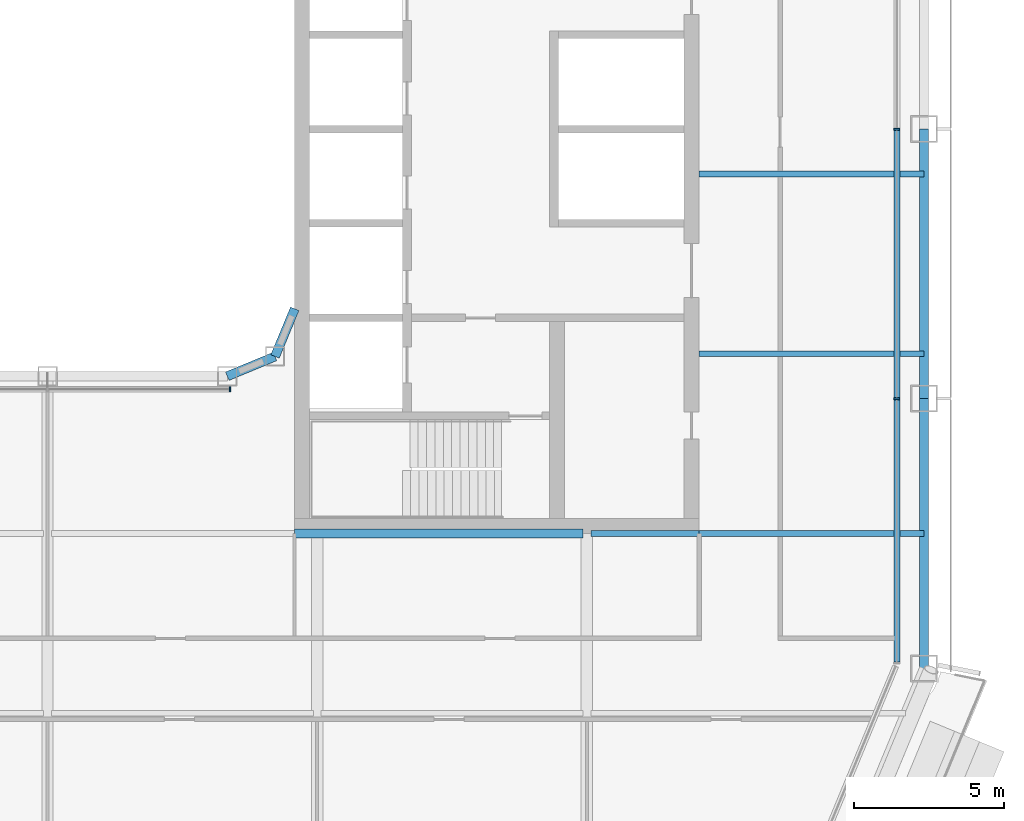
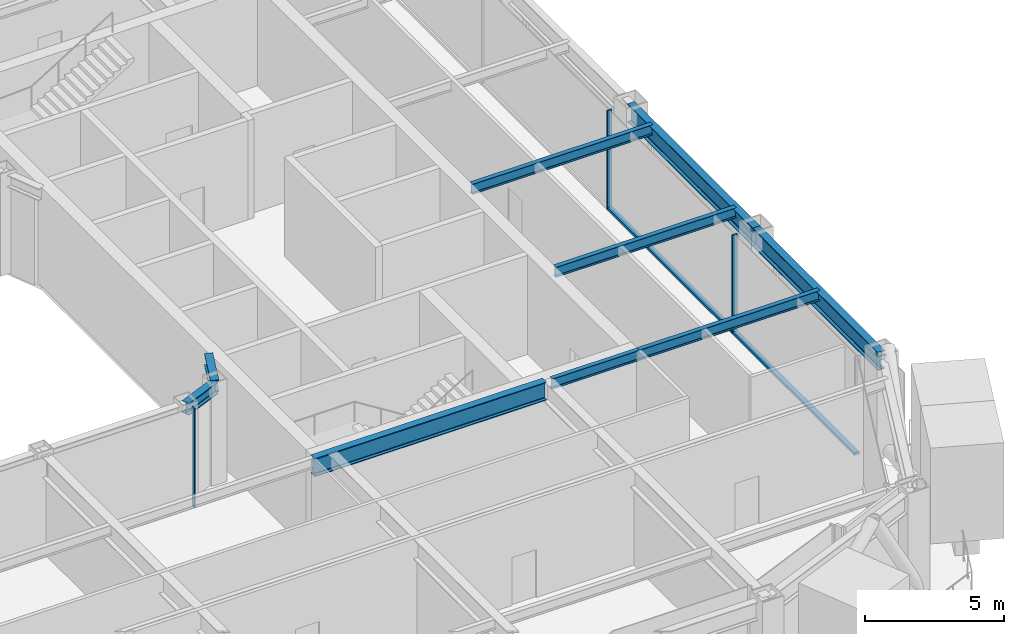
# One storey, part 5 of 23: 9 beams, 5 members, 2 elements without a shape of their own.
"""IFC4 building model written with IfcOpenShell, lengths in metres."""

from ifc_helpers import new_model, si_unit, direction, frame, origin, origin_2d, place, context, subcontext, project, spatial, rectangle, i_section, extrude, material, layer, layer_set, material_profile, profile_set, type_object, element, aggregate, save


model = new_model("IFC4")

# Units and contexts
model_context = context("Model", 3, precision=1e-05, world=origin(), true_north=direction((0.0, 1.0)))
body_context = subcontext(model_context, "Body", "Model", "MODEL_VIEW")
ifc_project = project(units=[si_unit("LENGTHUNIT", "METRE"), si_unit("AREAUNIT", "SQUARE_METRE"), si_unit("VOLUMEUNIT", "CUBIC_METRE"), si_unit("PLANEANGLEUNIT", "RADIAN"), si_unit("MASSUNIT", "GRAM", prefix="KILO")], contexts=[model_context])

# Site, building, storey
site_placement = place(None, origin())
site = spatial("IfcSite", under=ifc_project, at=site_placement, CompositionType="ELEMENT")
building_placement = place(site_placement, origin())
building = spatial("IfcBuilding", under=site, at=building_placement, Name="Siwar Civic Tower", CompositionType="ELEMENT")
storey_placement = place(building_placement, frame((0.0, 0.0, 145.199951171875)))
storey = spatial("IfcBuildingStorey", under=building, at=storey_placement, Name="L31", CompositionType="ELEMENT", Elevation=145.199951171875)

# Curtain wall, members
ifc_material_1 = material(Name="Aluminium and glass", Category="aluminium")
ifc_layer_1 = layer(ifc_material_1, 0.199951171875)
ifc_layer_set_1 = layer_set([ifc_layer_1], Name="Aluminium and glass")
curtain_wall_type_1 = type_object("IfcCurtainWallType", Name="ENV-CW-B", PredefinedType="NOTDEFINED", material=ifc_layer_set_1)
curtain_wall_1_placement = place(storey_placement, origin())
curtain_wall_1 = element("IfcCurtainWall", 1, at=curtain_wall_1_placement, inside=storey, type_object=curtain_wall_type_1, Name="Curtain wall B E", PredefinedType="NOTDEFINED")
ifc_material_2 = material(Name="Aluminium 6063-T6", Category="aluminium")
ifc_material_profile_1 = material_profile(ifc_material_2, rectangle(XDim=0.199951171875, YDim=0.06494140625, at=origin_2d()), Name="AL 200x65")
ifc_profile_set_1 = profile_set([ifc_material_profile_1], Name="Aluminium 6063-T6")
member_type_1 = type_object("IfcMemberType", Name="ENV-MULLION-B", PredefinedType="MULLION", material=ifc_profile_set_1)
member_1_placement = place(storey_placement, frame((28.35009765625, -9.0, 0.0), z_axis=(0.0, 0.0, 1.0), x_axis=(-1.0, 0.0, 0.0)))
member_1 = element("IfcMember", 2, at=member_1_placement, type_object=member_type_1, Name="Mullion B E 2", PredefinedType="MULLION", context=body_context, shape_type="SweptSolid", body=[
    extrude(rectangle(XDim=0.199951171875, YDim=0.06494140625, at=origin_2d()), origin(), (0.0, 0.0, 1.0), 4.35009765625),
])
member_2_placement = place(storey_placement, frame((28.35009765625, 0.0, 0.0), z_axis=(0.0, 0.0, 1.0), x_axis=(-1.0, 0.0, 0.0)))
member_2 = element("IfcMember", 3, at=member_2_placement, type_object=member_type_1, Name="Mullion B E 3", PredefinedType="MULLION", context=body_context, shape_type="SweptSolid", body=[
    extrude(rectangle(XDim=0.199951171875, YDim=0.06494140625, at=origin_2d()), origin(), (0.0, 0.0, 1.0), 4.35009765625),
])

# Curtain wall, member
ifc_material_3 = material(Name="Aluminium and glass", Category="aluminium")
ifc_layer_2 = layer(ifc_material_3, 0.179931640625)
ifc_layer_set_2 = layer_set([ifc_layer_2], Name="Aluminium and glass")
curtain_wall_type_2 = type_object("IfcCurtainWallType", Name="ENV-CW-W", PredefinedType="NOTDEFINED", material=ifc_layer_set_2)
curtain_wall_2_placement = place(storey_placement, origin())
curtain_wall_2 = element("IfcCurtainWall", 4, at=curtain_wall_2_placement, inside=storey, type_object=curtain_wall_type_2, Name="Curtain wall W WS", PredefinedType="NOTDEFINED")
ifc_material_4 = material(Name="Aluminium 6063-T6", Category="aluminium")
ifc_material_profile_2 = material_profile(ifc_material_4, rectangle(XDim=0.179931640625, YDim=0.06005859375, at=origin_2d()), Name="AL 180x60")
ifc_profile_set_2 = profile_set([ifc_material_profile_2], Name="Aluminium 6063-T6")
member_type_2 = type_object("IfcMemberType", Name="ENV-MULLION-W", PredefinedType="MULLION", material=ifc_profile_set_2)
member_3_placement = place(storey_placement, frame((6.08642578125, -8.68505859375, 0.0), z_axis=(0.0, 0.0, 1.0), x_axis=(0.0, 1.0, 0.0)))
member_3 = element("IfcMember", 5, at=member_3_placement, type_object=member_type_2, Name="Mullion W WS 3", PredefinedType="MULLION", context=body_context, shape_type="SweptSolid", body=[
    extrude(rectangle(XDim=0.179931640625, YDim=0.06005859375, at=origin_2d()), origin(), (0.0, 0.0, 1.0), 4.35009765625),
])
aggregate(curtain_wall_2, [member_3])

# Member
ifc_material_5 = material(Name="Aluminium 6063-T6", Category="aluminium")
ifc_material_profile_3 = material_profile(ifc_material_5, rectangle(XDim=0.199951171875, YDim=0.110107421875, at=origin_2d()), Name="AL 200x110")
ifc_profile_set_3 = profile_set([ifc_material_profile_3], Name="Aluminium 6063-T6")
member_type_3 = type_object("IfcMemberType", Name="ENV-TRANSOM-B", PredefinedType="USERDEFINED", material=ifc_profile_set_3)
member_4_placement = place(storey_placement, frame((28.35009765625, -17.78857421875, 0.054931640625), z_axis=(0.0, 1.0, 0.0), x_axis=(-1.0, 0.0, 0.0)))
member_4 = element("IfcMember", 6, at=member_4_placement, type_object=member_type_3, Name="Transom B E 1", ObjectType="TRANSOM", PredefinedType="USERDEFINED", context=body_context, shape_type="SweptSolid", body=[
    extrude(rectangle(XDim=0.199951171875, YDim=0.110107421875, at=origin_2d()), origin(), (0.0, 0.0, 1.0), 8.756103515625),
])

member_5_placement = place(storey_placement, frame((28.35009765625, -8.967529296875, 0.054931640625), z_axis=(0.0, 1.0, 0.0), x_axis=(-1.0, 0.0, 0.0)))
member_5 = element("IfcMember", 7, at=member_5_placement, type_object=member_type_3, Name="Transom B E 2", ObjectType="TRANSOM", PredefinedType="USERDEFINED", context=body_context, shape_type="SweptSolid", body=[
    extrude(rectangle(XDim=0.199951171875, YDim=0.110107421875, at=origin_2d()), origin(), (0.0, 0.0, 1.0), 8.93505859375),
])

aggregate(curtain_wall_1, [member_1, member_2, member_4, member_5])

# Beams
ifc_material_6 = material(Name="Steel S355", Category="steel")
ifc_material_profile_4 = material_profile(ifc_material_6, i_section(OverallWidth=0.18994140625, OverallDepth=0.449951171875, WebThickness=0.009521484375, FlangeThickness=0.0146484375, FilletRadius=0.02099609375, at=origin_2d()), Name="IPE450")
ifc_profile_set_4 = profile_set([ifc_material_profile_4], Name="Steel S355")
beam_type_1 = type_object("IfcBeamType", Name="STR-FB-IPE450", PredefinedType="JOIST", material=ifc_profile_set_4)
beam_1_placement = place(storey_placement, frame((18.1298828125, -13.5, 4.125), z_axis=(1.0, 0.0, 0.0), x_axis=(0.0, 1.0, 0.0)))
element("IfcBeam", 8, at=beam_1_placement, inside=storey, type_object=beam_type_1, Name="L31/bm/F019", PredefinedType="JOIST", context=body_context, shape_type="SweptSolid", body=[
    extrude(i_section(OverallWidth=0.18994140625, OverallDepth=0.449951171875, WebThickness=0.009521484375, FlangeThickness=0.0146484375, FilletRadius=0.02099609375, at=origin_2d()), origin(), (0.0, 0.0, 1.0), 3.6201171875),
])
for number, where, z_axis, x_axis, name in (
    (9, (21.75, -13.5, 4.125), (1.0, 0.0, 0.0), (0.0, 1.0, 0.0), "L31/bm/F020"),
    (10, (21.75, -7.5, 4.125), (1.0, 0.0, 0.0), (0.0, 1.0, 0.0), "L31/bm/F022"),
    (11, (21.75, -1.5, 4.125), (1.0, 0.0, 0.0), (0.0, 1.0, 0.0), "L31/bm/F024"),
):
    element("IfcBeam", number, at=place(storey_placement, frame(where, z_axis=z_axis, x_axis=x_axis)), inside=storey, type_object=beam_type_1, Name=name, PredefinedType="JOIST", context=body_context, shape_type="SweptSolid", body=[
        extrude(i_section(OverallWidth=0.18994140625, OverallDepth=0.449951171875, WebThickness=0.009521484375, FlangeThickness=0.0146484375, FilletRadius=0.02099609375, at=origin_2d()), origin(), (0.0, 0.0, 1.0), 7.5),
    ])
ifc_material_7 = material(Name="Steel S355", Category="steel")
ifc_material_profile_5 = material_profile(ifc_material_7, i_section(OverallWidth=0.300048828125, OverallDepth=0.800048828125, WebThickness=0.017578125, FlangeThickness=0.032958984375, FilletRadius=0.030029296875, at=origin_2d()), Name="HEB800")
ifc_profile_set_5 = profile_set([ifc_material_profile_5], Name="Steel S355")
beam_type_2 = type_object("IfcBeamType", Name="STR-PG-HEB800", PredefinedType="BEAM", material=ifc_profile_set_5)
beam_2_placement = place(storey_placement, frame((8.25, -13.5, 3.949951171875), z_axis=(1.0, 0.0, 0.0), x_axis=(0.0, 1.0, 0.0)))
element("IfcBeam", 12, at=beam_2_placement, inside=storey, type_object=beam_type_2, Name="L31/bm/F018", PredefinedType="BEAM", context=body_context, shape_type="SweptSolid", body=[
    extrude(i_section(OverallWidth=0.300048828125, OverallDepth=0.800048828125, WebThickness=0.017578125, FlangeThickness=0.032958984375, FilletRadius=0.030029296875, at=origin_2d()), origin(), (0.0, 0.0, 1.0), 9.6201171875),
])
ifc_material_8 = material(Name="Steel S355", Category="steel")
ifc_material_profile_6 = material_profile(ifc_material_8, i_section(OverallWidth=0.305908203125, OverallDepth=0.52392578125, WebThickness=0.02099609375, FlangeThickness=0.0400390625, FilletRadius=0.027099609375, at=origin_2d()), Name="HEM500")
ifc_profile_set_6 = profile_set([ifc_material_profile_6], Name="Steel S355")
beam_type_3 = type_object("IfcBeamType", Name="STR-RB-HEM500", PredefinedType="BEAM", material=ifc_profile_set_6)
for number, where, z_axis, x_axis, name in (
    (13, (6.0, -8.25, 4.088134765625), (0.923901072997, 0.382631424892, 0.0), (-0.382631424892, 0.923901072997, 0.0), "L31/bm/RS3"),
    (14, (7.591064453125, -7.591064453125, 4.088134765625), (0.382631424892, 0.923901072997, 0.0), (-0.923901072997, 0.382631424892, 0.0), "L31/bm/RSEE"),
):
    element("IfcBeam", number, at=place(storey_placement, frame(where, z_axis=z_axis, x_axis=x_axis)), inside=storey, type_object=beam_type_3, Name=name, PredefinedType="BEAM", context=body_context, shape_type="SweptSolid", body=[
        extrude(i_section(OverallWidth=0.305908203125, OverallDepth=0.52392578125, WebThickness=0.02099609375, FlangeThickness=0.0400390625, FilletRadius=0.027099609375, at=origin_2d()), origin(), (0.0, 0.0, 1.0), 1.72216796875),
    ])
ifc_material_9 = material(Name="Steel S355", Category="steel")
ifc_material_profile_7 = material_profile(ifc_material_9, i_section(OverallWidth=0.300048828125, OverallDepth=0.800048828125, WebThickness=0.017578125, FlangeThickness=0.032958984375, FilletRadius=0.030029296875, at=origin_2d()), Name="HEB800")
ifc_profile_set_7 = profile_set([ifc_material_profile_7], Name="Steel S355")
beam_type_4 = type_object("IfcBeamType", Name="STR-SB-HEB800", PredefinedType="BEAM", material=ifc_profile_set_7)
for number, where, z_axis, x_axis, name in (
    (15, (29.25, -18.0, 3.949951171875), (0.0, 1.0, 0.0), (-1.0, 0.0, 0.0), "L31/bm/SE-0"),
    (16, (29.25, -9.0, 3.949951171875), (0.0, 1.0, 0.0), (-1.0, 0.0, 0.0), "L31/bm/SE-1"),
):
    element("IfcBeam", number, at=place(storey_placement, frame(where, z_axis=z_axis, x_axis=x_axis)), inside=storey, type_object=beam_type_4, Name=name, PredefinedType="BEAM", context=body_context, shape_type="SweptSolid", body=[
        extrude(i_section(OverallWidth=0.300048828125, OverallDepth=0.800048828125, WebThickness=0.017578125, FlangeThickness=0.032958984375, FilletRadius=0.030029296875, at=origin_2d()), origin(), (0.0, 0.0, 1.0), 9.0),
    ])

save(model, "model.ifc")
